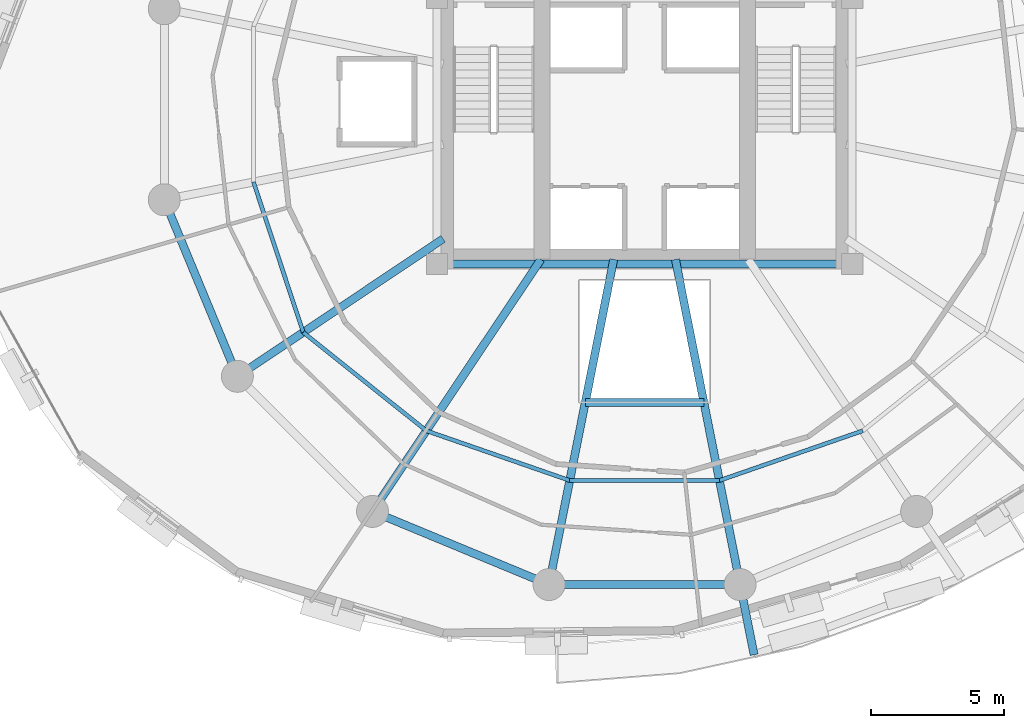
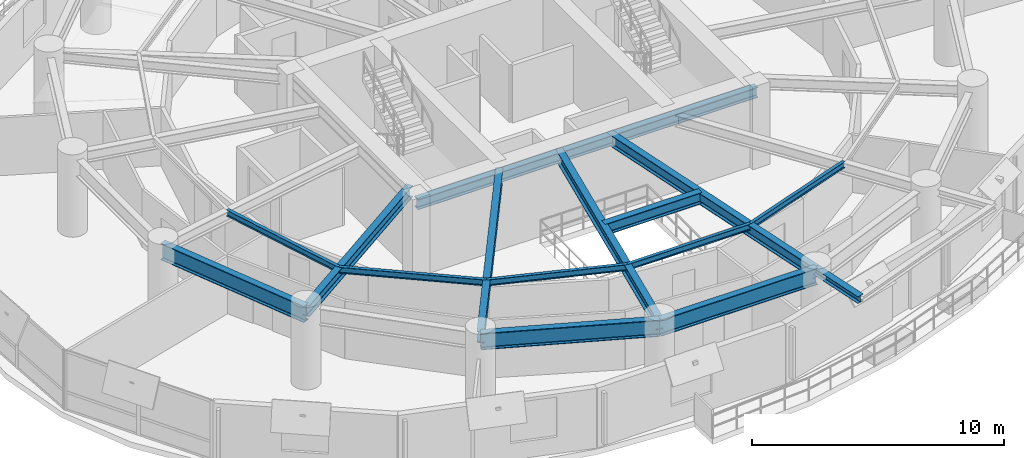
# One storey, part 3 of 15: 15 beams.
"""IFC4 building model written with IfcOpenShell, lengths in metres."""

from ifc_helpers import new_model, si_unit, direction, frame, origin, origin_2d, place, context, subcontext, project, spatial, i_section, extrude, material, material_profile, profile_set, type_object, element, save


model = new_model("IFC4")

# Units and contexts
model_context = context("Model", 3, precision=1e-05, world=origin(), true_north=direction((0.0, 1.0)))
body_context = subcontext(model_context, "Body", "Model", "MODEL_VIEW")
ifc_project = project(units=[si_unit("LENGTHUNIT", "METRE"), si_unit("AREAUNIT", "SQUARE_METRE"), si_unit("VOLUMEUNIT", "CUBIC_METRE"), si_unit("PLANEANGLEUNIT", "RADIAN"), si_unit("MASSUNIT", "GRAM", prefix="KILO"), si_unit("THERMODYNAMICTEMPERATUREUNIT", "KELVIN"), si_unit("POWERUNIT", "WATT")], contexts=[model_context])

# Site, building, storey
site_placement = place(None, origin())
site = spatial("IfcSite", under=ifc_project, at=site_placement, CompositionType="ELEMENT")
building_placement = place(site_placement, origin())
building = spatial("IfcBuilding", under=site, at=building_placement, Name="Ocrelia Relay Tower", CompositionType="ELEMENT")
storey_placement = place(building_placement, frame((0.0, 0.0, 101.800048828125)))
storey = spatial("IfcBuildingStorey", under=building, at=storey_placement, Name="L23", CompositionType="ELEMENT", Elevation=101.800048828125)

# Beams
ifc_material = material(Name="Steel S355", Category="steel")
ifc_material_profile_1 = material_profile(ifc_material, i_section(OverallWidth=0.300048828125, OverallDepth=0.330078125, WebThickness=0.009521484375, FlangeThickness=0.0166015625, FilletRadius=0.027099609375, at=origin_2d()), Name="HEA 340")
ifc_profile_set_1 = profile_set([ifc_material_profile_1], Name="Steel S355")
beam_type_1 = type_object("IfcBeamType", Name="BM-HEA340", PredefinedType="BEAM", material=ifc_profile_set_1)
beam_1_placement = place(storey_placement, frame((37.589599609375, 7.95361328125, 3.554931640625), z_axis=(0.195138146629, -0.980775766284, 0.0), x_axis=(0.980775766284, 0.195138146629, 0.0)))
element("IfcBeam", 1, at=beam_1_placement, inside=storey, type_object=beam_type_1, Name="L24 Balcony Cantilever Beam B2-1", PredefinedType="BEAM", context=body_context, shape_type="SweptSolid", body=[
    extrude(i_section(OverallWidth=0.300048828125, OverallDepth=0.330078125, WebThickness=0.009521484375, FlangeThickness=0.0166015625, FilletRadius=0.027099609375, at=origin_2d()), origin(), (0.0, 0.0, 1.0), 2.688720703125),
])
ifc_material_profile_2 = material_profile(ifc_material, i_section(OverallWidth=0.300048828125, OverallDepth=0.5, WebThickness=0.014404296875, FlangeThickness=0.028076171875, FilletRadius=0.027099609375, at=origin_2d()), Name="HEB 500")
ifc_profile_set_2 = profile_set([ifc_material_profile_2], Name="Steel S355")
beam_type_2 = type_object("IfcBeamType", Name="BM-HEB500", PredefinedType="BEAM", material=ifc_profile_set_2)
beam_2_placement = place(storey_placement, frame((26.199951171875, 20.0, 3.469970703125), z_axis=(1.0, 0.0, 0.0), x_axis=(0.0, 1.0, 0.0)))
element("IfcBeam", 2, at=beam_2_placement, inside=storey, type_object=beam_type_2, Name="L23 Core Pilaster Tie Beam S", PredefinedType="BEAM", context=body_context, shape_type="SweptSolid", body=[
    extrude(i_section(OverallWidth=0.300048828125, OverallDepth=0.5, WebThickness=0.014404296875, FlangeThickness=0.028076171875, FilletRadius=0.027099609375, at=origin_2d()), origin(), (0.0, 0.0, 1.0), 15.60009765625),
])
ifc_material_profile_3 = material_profile(ifc_material, i_section(OverallWidth=0.300048828125, OverallDepth=0.550048828125, WebThickness=0.014892578125, FlangeThickness=0.029052734375, FilletRadius=0.027099609375, at=origin_2d()), Name="HEB 550")
ifc_profile_set_3 = profile_set([ifc_material_profile_3], Name="Steel S355")
beam_type_3 = type_object("IfcBeamType", Name="BM-HEB550", PredefinedType="BEAM", material=ifc_profile_set_3)
beam_3_placement = place(storey_placement, frame((18.700927734375, 15.777587890625, 3.445068359375), z_axis=(0.831472030531, 0.555566613868, 0.0), x_axis=(-0.555566613868, 0.831472030531, 0.0)))
element("IfcBeam", 3, at=beam_3_placement, inside=storey, type_object=beam_type_3, Name="L23 Radial Floor Girder R10", PredefinedType="BEAM", context=body_context, shape_type="SweptSolid", body=[
    extrude(i_section(OverallWidth=0.300048828125, OverallDepth=0.550048828125, WebThickness=0.014892578125, FlangeThickness=0.029052734375, FilletRadius=0.027099609375, at=origin_2d()), origin(), (0.0, 0.0, 1.0), 9.295654296875),
])
beam_4_placement = place(storey_placement, frame((23.777587890625, 10.700927734375, 3.445068359375), z_axis=(0.555565661158, 0.831472667105, 0.0), x_axis=(-0.831472667105, 0.555565661158, 0.0)))
element("IfcBeam", 4, at=beam_4_placement, inside=storey, type_object=beam_type_3, Name="L23 Radial Floor Girder R11", PredefinedType="BEAM", context=body_context, shape_type="SweptSolid", body=[
    extrude(i_section(OverallWidth=0.300048828125, OverallDepth=0.550048828125, WebThickness=0.014892578125, FlangeThickness=0.029052734375, FilletRadius=0.027099609375, at=origin_2d()), origin(), (0.0, 0.0, 1.0), 11.38818359375),
])
for number, where, z_axis, x_axis, name in (
    (5, (30.410400390625, 7.95361328125, 3.445068359375), (0.195086983979, 0.980785944374, 0.0), (-0.980785944374, 0.195086983979, 0.0), "L23 Radial Floor Girder R12"),
    (6, (37.589599609375, 7.95361328125, 3.445068359375), (-0.195086983979, 0.980785944374, 0.0), (-0.980785944374, -0.195086983979, 0.0), "L23 Radial Floor Girder R13"),
):
    element("IfcBeam", number, at=place(storey_placement, frame(where, z_axis=z_axis, x_axis=x_axis)), inside=storey, type_object=beam_type_3, Name=name, PredefinedType="BEAM", context=body_context, shape_type="SweptSolid", body=[
        extrude(i_section(OverallWidth=0.300048828125, OverallDepth=0.550048828125, WebThickness=0.014892578125, FlangeThickness=0.029052734375, FilletRadius=0.027099609375, at=origin_2d()), origin(), (0.0, 0.0, 1.0), 12.45556640625),
    ])
beam_5_placement = place(storey_placement, frame((31.772216796875, 14.800048828125, 3.445068359375), z_axis=(1.0, 0.0, 0.0), x_axis=(0.0, 1.0, 0.0)))
element("IfcBeam", 7, at=beam_5_placement, inside=storey, type_object=beam_type_3, Name="L23 Atrium South Trimmer Beam", PredefinedType="BEAM", context=body_context, shape_type="SweptSolid", body=[
    extrude(i_section(OverallWidth=0.300048828125, OverallDepth=0.550048828125, WebThickness=0.014892578125, FlangeThickness=0.029052734375, FilletRadius=0.027099609375, at=origin_2d()), origin(), (0.0, 0.0, 1.0), 4.45556640625),
])
ifc_material_profile_4 = material_profile(ifc_material, i_section(OverallWidth=0.300048828125, OverallDepth=0.800048828125, WebThickness=0.017578125, FlangeThickness=0.032958984375, FilletRadius=0.030029296875, at=origin_2d()), Name="HEB 800")
ifc_profile_set_4 = profile_set([ifc_material_profile_4], Name="Steel S355")
beam_type_4 = type_object("IfcBeamType", Name="BM-HEB800", PredefinedType="BEAM", material=ifc_profile_set_4)
for number, where, z_axis, x_axis, name in (
    (8, (15.95361328125, 22.410400390625, 3.320068359375), (0.382673155247, -0.923883789366, 0.0), (0.923883789366, 0.382673155247, 0.0), "L23 Perimeter Spandrel Beam S09"),
    (9, (23.777587890625, 10.700927734375, 3.320068359375), (0.923883789366, -0.382673155247, 0.0), (0.382673155247, 0.923883789366, 0.0), "L23 Perimeter Spandrel Beam S11"),
    (10, (30.410400390625, 7.95361328125, 3.320068359375), (1.0, 0.0, 0.0), (0.0, 1.0, 0.0), "L23 Perimeter Spandrel Beam S12"),
):
    element("IfcBeam", number, at=place(storey_placement, frame(where, z_axis=z_axis, x_axis=x_axis)), inside=storey, type_object=beam_type_4, Name=name, PredefinedType="BEAM", context=body_context, shape_type="SweptSolid", body=[
        extrude(i_section(OverallWidth=0.300048828125, OverallDepth=0.800048828125, WebThickness=0.017578125, FlangeThickness=0.032958984375, FilletRadius=0.030029296875, at=origin_2d()), origin(), (0.0, 0.0, 1.0), 7.17919921875),
    ])
ifc_material_profile_5 = material_profile(ifc_material, i_section(OverallWidth=0.14990234375, OverallDepth=0.300048828125, WebThickness=0.007080078125, FlangeThickness=0.0107421875, FilletRadius=0.014892578125, at=origin_2d()), Name="IPE 300")
ifc_profile_set_5 = profile_set([ifc_material_profile_5], Name="Steel S355")
beam_type_5 = type_object("IfcBeamType", Name="BM-IPE300", PredefinedType="JOIST", material=ifc_profile_set_5)
beam_6_placement = place(storey_placement, frame((19.305908203125, 23.0771484375, 3.570068359375), z_axis=(0.314121352003, -0.949382839647, 0.0), x_axis=(0.949382839647, 0.314121352003, 0.0)))
element("IfcBeam", 11, at=beam_6_placement, inside=storey, type_object=beam_type_5, Name="L23 Secondary Floor Joist J09", PredefinedType="JOIST", context=body_context, shape_type="SweptSolid", body=[
    extrude(i_section(OverallWidth=0.14990234375, OverallDepth=0.300048828125, WebThickness=0.007080078125, FlangeThickness=0.0107421875, FilletRadius=0.014892578125, at=origin_2d()), origin(), (0.0, 0.0, 1.0), 5.947998046875),
])
beam_7_placement = place(storey_placement, frame((21.17431640625, 17.43017578125, 3.570068359375), z_axis=(0.781130070991, -0.62436833055, 0.0), x_axis=(0.62436833055, 0.781130070991, 0.0)))
element("IfcBeam", 12, at=beam_7_placement, inside=storey, type_object=beam_type_5, Name="L23 Secondary Floor Joist J10", PredefinedType="JOIST", context=body_context, shape_type="SweptSolid", body=[
    extrude(i_section(OverallWidth=0.14990234375, OverallDepth=0.300048828125, WebThickness=0.007080078125, FlangeThickness=0.0107421875, FilletRadius=0.014892578125, at=origin_2d()), origin(), (0.0, 0.0, 1.0), 5.92431640625),
])
beam_8_placement = place(storey_placement, frame((25.802001953125, 13.731201171875, 3.570068359375), z_axis=(0.944767437111, -0.327741498401, 0.0), x_axis=(0.327741498401, 0.944767437111, 0.0)))
element("IfcBeam", 13, at=beam_8_placement, inside=storey, type_object=beam_type_5, Name="L23 Secondary Floor Joist J11", PredefinedType="JOIST", context=body_context, shape_type="SweptSolid", body=[
    extrude(i_section(OverallWidth=0.14990234375, OverallDepth=0.300048828125, WebThickness=0.007080078125, FlangeThickness=0.0107421875, FilletRadius=0.014892578125, at=origin_2d()), origin(), (0.0, 0.0, 1.0), 5.700927734375),
])
beam_9_placement = place(storey_placement, frame((31.18798828125, 11.86279296875, 3.570068359375), z_axis=(1.0, 0.0, 0.0), x_axis=(0.0, 1.0, 0.0)))
element("IfcBeam", 14, at=beam_9_placement, inside=storey, type_object=beam_type_5, Name="L23 Secondary Floor Joist J12", PredefinedType="JOIST", context=body_context, shape_type="SweptSolid", body=[
    extrude(i_section(OverallWidth=0.14990234375, OverallDepth=0.300048828125, WebThickness=0.007080078125, FlangeThickness=0.0107421875, FilletRadius=0.014892578125, at=origin_2d()), origin(), (0.0, 0.0, 1.0), 5.6240234375),
])
beam_10_placement = place(storey_placement, frame((36.81201171875, 11.86279296875, 3.570068359375), z_axis=(0.944767437111, 0.327741498401, 0.0), x_axis=(-0.327741498401, 0.944767437111, 0.0)))
element("IfcBeam", 15, at=beam_10_placement, inside=storey, type_object=beam_type_5, Name="L23 Secondary Floor Joist J13", PredefinedType="JOIST", context=body_context, shape_type="SweptSolid", body=[
    extrude(i_section(OverallWidth=0.14990234375, OverallDepth=0.300048828125, WebThickness=0.007080078125, FlangeThickness=0.0107421875, FilletRadius=0.014892578125, at=origin_2d()), origin(), (0.0, 0.0, 1.0), 5.700927734375),
])

save(model, "model.ifc")
